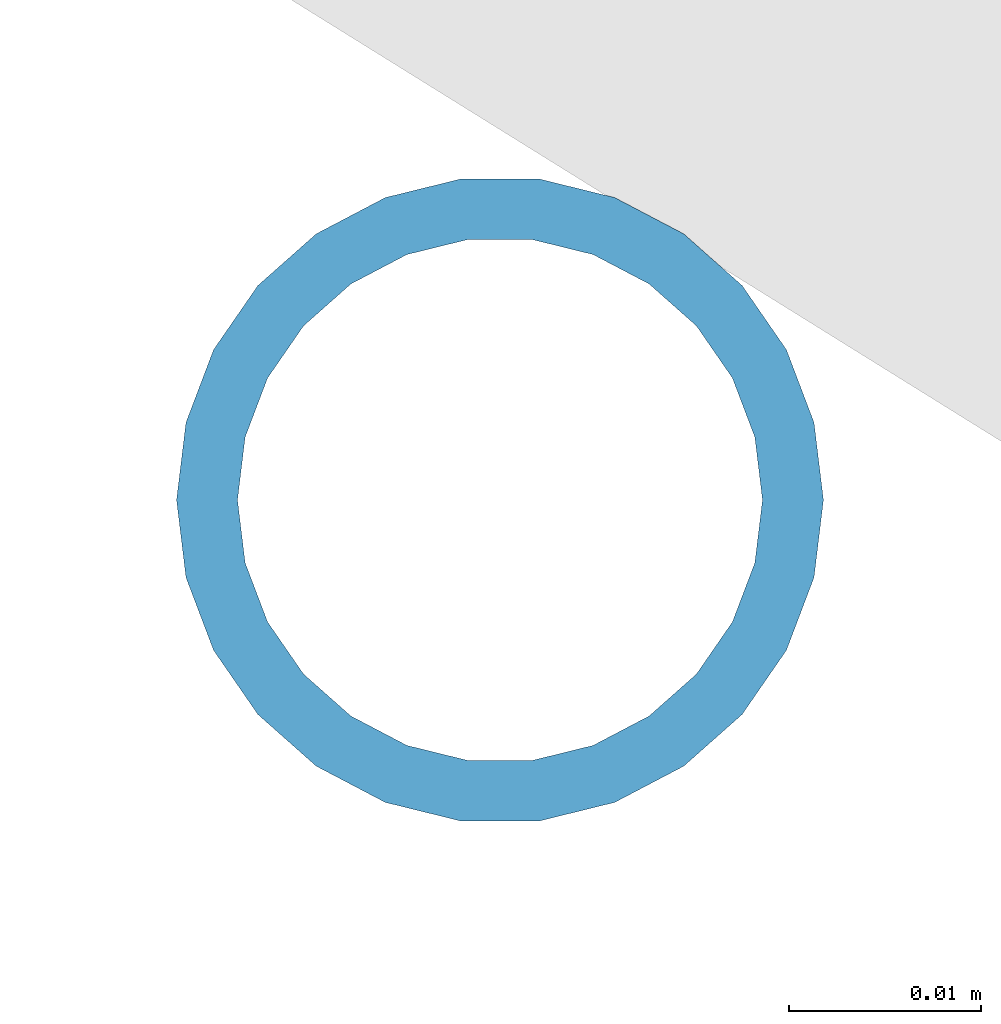
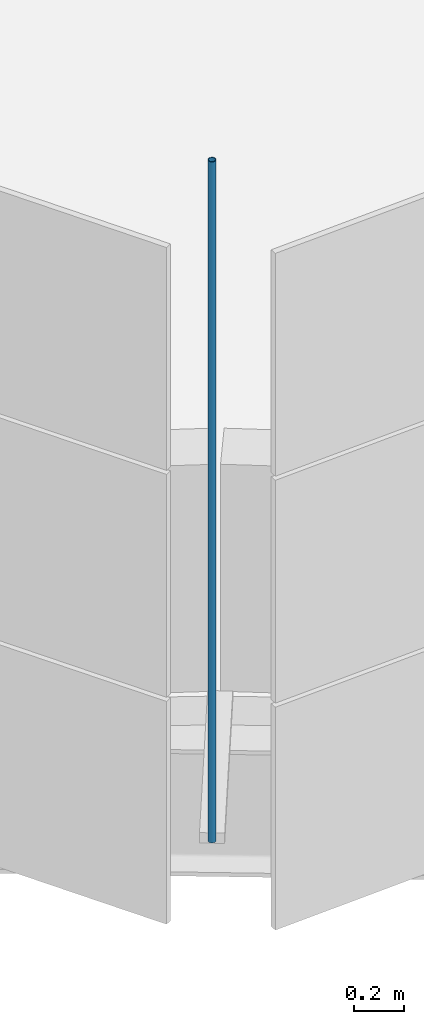
# One storey, part 112 of 199: 1 discrete accessory.
"""IFC4 building model written with IfcOpenShell, lengths in metres."""

from ifc_helpers import new_model, si_unit, direction, frame, origin, origin_2d, place, context, subcontext, project, spatial, hollow_circle, extrude, material, material_profile, profile_set, type_object, element, save


model = new_model("IFC4")

# Units and contexts
model_context = context("Model", 3, precision=1e-05, world=origin(), true_north=direction((0.0, 1.0)))
body_context = subcontext(model_context, "Body", "Model", "MODEL_VIEW")
ifc_project = project(units=[si_unit("LENGTHUNIT", "METRE"), si_unit("AREAUNIT", "SQUARE_METRE"), si_unit("VOLUMEUNIT", "CUBIC_METRE"), si_unit("PLANEANGLEUNIT", "RADIAN"), si_unit("MASSUNIT", "GRAM", prefix="KILO")], contexts=[model_context])

# Site, building, storey
site_placement = place(None, origin())
site = spatial("IfcSite", under=ifc_project, at=site_placement, CompositionType="ELEMENT")
building_placement = place(site_placement, origin())
building = spatial("IfcBuilding", under=site, at=building_placement, Name="Parallax Yard Mobility Hub", CompositionType="ELEMENT")
storey_placement = place(building_placement, frame((0.0, 0.0, 9.89990234375)))
storey = spatial("IfcBuildingStorey", under=building, at=storey_placement, Name="L03", CompositionType="ELEMENT", Elevation=9.89990234375)

# Discrete accessory
ifc_material = material(Name="Steel ASTM A500 Gr C, hot-dip galvanised", Category="steel")
ifc_material_profile = material_profile(ifc_material, hollow_circle(Radius=0.016845703125, WallThickness=0.003173828125, at=origin_2d()), Name="CHS 33.7x3.2")
ifc_profile_set = profile_set([ifc_material_profile], Name="Steel ASTM A500 Gr C, hot-dip galvanised")
discrete_accessory_type = type_object("IfcDiscreteAccessoryType", Name="Hinge post CHS 33.7x3.2", PredefinedType="BRACKET", material=ifc_profile_set)
discrete_accessory_placement = place(storey_placement, frame((183.23046875, 108.631103515625, 0.0), z_axis=(0.0, 0.0, 1.0), x_axis=(1.0, 0.0, 0.0)))
element("IfcDiscreteAccessory", 1, at=discrete_accessory_placement, inside=storey, type_object=discrete_accessory_type, Name="Hinge post bay 19.5 level L03", PredefinedType="BRACKET", context=body_context, shape_type="SweptSolid", body=[
    extrude(hollow_circle(Radius=0.016845703125, WallThickness=0.003173828125, at=origin_2d()), origin(), (0.0, 0.0, 1.0), 3.300048828125),
])

save(model, "model.ifc")
